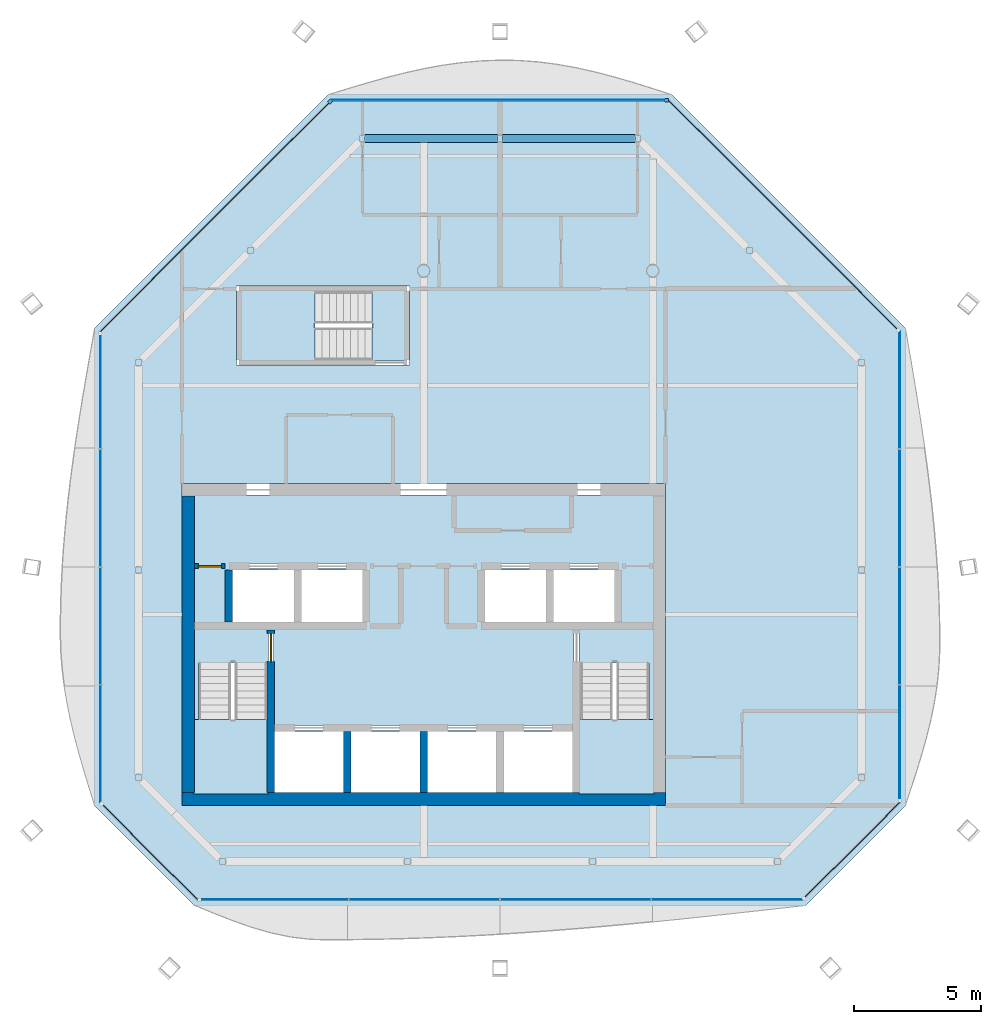
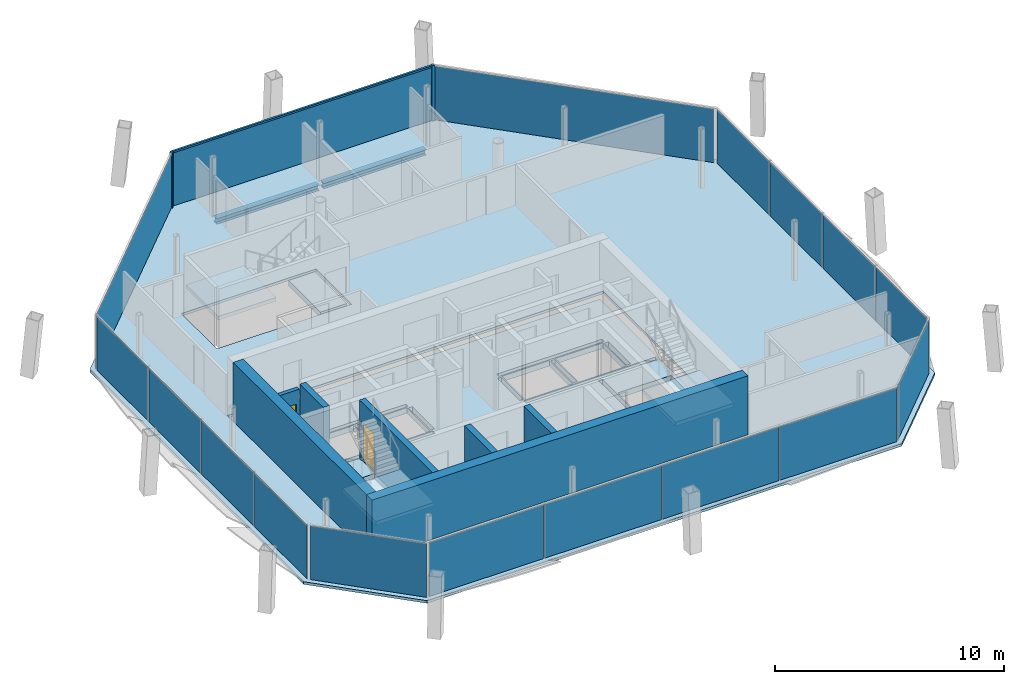
# One storey, part 8 of 13: 17 plates, 7 walls, 6 slabs, 3 members, 2 beams, 2 doors, 2 openings, 11 elements without a shape of their own.
"""IFC4 building model written with IfcOpenShell, lengths in metres."""

from ifc_helpers import new_model, si_unit, direction, frame, frame_2d, origin, origin_2d, place, context, subcontext, project, spatial, polyline, rectangle, i_section, outline, extrude, material, layer, layer_set, material_profile, profile_set, type_object, element, fill, aggregate, save


model = new_model("IFC4")

# Units and contexts
model_context = context("Model", 3, precision=1e-05, world=origin(), true_north=direction((0.0, 1.0)))
body_context = subcontext(model_context, "Body", "Model", "MODEL_VIEW")
ifc_project = project(units=[si_unit("LENGTHUNIT", "METRE"), si_unit("AREAUNIT", "SQUARE_METRE"), si_unit("VOLUMEUNIT", "CUBIC_METRE"), si_unit("PLANEANGLEUNIT", "RADIAN"), si_unit("MASSUNIT", "GRAM", prefix="KILO")], contexts=[model_context])

# Site, building, storey
site_placement = place(None, origin())
site = spatial("IfcSite", under=ifc_project, at=site_placement, CompositionType="ELEMENT")
building_placement = place(site_placement, origin())
building = spatial("IfcBuilding", under=site, at=building_placement, Name="Tskaro Facet Tower", CompositionType="ELEMENT")
storey_placement = place(building_placement, frame((0.0, 0.0, 284.699951171875)))
storey = spatial("IfcBuildingStorey", under=building, at=storey_placement, Name="L76", CompositionType="ELEMENT", Elevation=284.699951171875)

# Curtain wall, member
ifc_material_1 = material(Name="Bronze anodised aluminium 6063-T6", Category="aluminium")
curtain_wall_type = type_object("IfcCurtainWallType", Name="Bronze residence curtain wall (FW3)", PredefinedType="NOTDEFINED", material=ifc_material_1)
curtain_wall_1_placement = place(storey_placement, origin())
curtain_wall_1 = element("IfcCurtainWall", 1, at=curtain_wall_1_placement, inside=storey, type_object=curtain_wall_type, Name="FW3 north facet L76", PredefinedType="NOTDEFINED")
ifc_material_profile_1 = material_profile(ifc_material_1, rectangle(XDim=0.139892578125, YDim=0.139892578125, at=origin_2d()), Name="Corner post 140x140")
ifc_profile_set_1 = profile_set([ifc_material_profile_1], Name="Bronze anodised aluminium 6063-T6")
member_type_1 = type_object("IfcMemberType", Name="FW3 bronze corner post 140x140", PredefinedType="MULLION", material=ifc_profile_set_1)
member_1_placement = place(storey_placement, frame((9.555908203125, 15.697998046875, 0.0), z_axis=(0.0, 0.0, 1.0), x_axis=(-1.0, 0.0, 0.0)))
member_1 = element("IfcMember", 2, at=member_1_placement, type_object=member_type_1, Name="FW3 north corner post", PredefinedType="MULLION", context=body_context, shape_type="SweptSolid", body=[
    extrude(rectangle(XDim=0.139892578125, YDim=0.139892578125, at=origin_2d()), origin(), (0.0, 0.0, 1.0), 2.949951171875),
])

curtain_wall_2_placement = place(storey_placement, origin())
curtain_wall_2 = element("IfcCurtainWall", 3, at=curtain_wall_2_placement, inside=storey, type_object=curtain_wall_type, Name="FW3 north-west facet L76", PredefinedType="NOTDEFINED")
member_2_placement = place(storey_placement, frame((-3.675537109375, 15.6484375, 0.0), z_axis=(0.0, 0.0, 1.0), x_axis=(-0.707106781187, -0.707106781187, 0.0)))
member_2 = element("IfcMember", 4, at=member_2_placement, type_object=member_type_1, Name="FW3 north-west corner post", PredefinedType="MULLION", context=body_context, shape_type="SweptSolid", body=[
    extrude(rectangle(XDim=0.139892578125, YDim=0.139892578125, at=origin_2d()), origin(), (0.0, 0.0, 1.0), 2.949951171875),
])

# Member
ifc_material_profile_2 = material_profile(ifc_material_1, rectangle(XDim=0.10009765625, YDim=0.090087890625, at=origin_2d()), Name="Transom 100x90")
ifc_profile_set_2 = profile_set([ifc_material_profile_2], Name="Bronze anodised aluminium 6063-T6")
member_type_2 = type_object("IfcMemberType", Name="FW3 bronze transom 100x90", PredefinedType="USERDEFINED", material=ifc_profile_set_2)
member_3_placement = place(storey_placement, frame((9.486083984375, 15.697998046875, 2.905029296875), z_axis=(-1.0, 0.0, 0.0), x_axis=(0.0, -1.0, 0.0)))
member_3 = element("IfcMember", 5, at=member_3_placement, type_object=member_type_2, Name="FW3 north transom 1.1", ObjectType="TRANSOM", PredefinedType="USERDEFINED", context=body_context, shape_type="SweptSolid", body=[
    extrude(rectangle(XDim=0.10009765625, YDim=0.090087890625, at=origin_2d()), origin(), (0.0, 0.0, 1.0), 13.112060546875),
])

# Beams
ifc_material_2 = material(Name="Steel S355J2", Category="steel")
ifc_material_profile_3 = material_profile(ifc_material_2, i_section(OverallWidth=0.300048828125, OverallDepth=0.300048828125, WebThickness=0.010986328125, FlangeThickness=0.01904296875, FilletRadius=0.027099609375, at=origin_2d()), Name="HE 300 B")
ifc_profile_set_3 = profile_set([ifc_material_profile_3], Name="Steel S355J2")
beam_type = type_object("IfcBeamType", Name="HE 300 B ring beam", PredefinedType="BEAM", material=ifc_profile_set_3)
for number, where, z_axis, x_axis, name in (
    (6, (8.298095703125, 14.199951171875, -0.2900390625), (-1.0, 0.0, 0.0), (0.0, -1.0, 0.0), "HE 300 B EB9-6"),
    (7, (2.89501953125, 14.199951171875, -0.2900390625), (-1.0, 0.0, 0.0), (0.0, -1.0, 0.0), "HE 300 B EB10-6"),
):
    element("IfcBeam", number, at=place(storey_placement, frame(where, z_axis=z_axis, x_axis=x_axis)), inside=storey, type_object=beam_type, Name=name, PredefinedType="BEAM", context=body_context, shape_type="SweptSolid", body=[
        extrude(i_section(OverallWidth=0.300048828125, OverallDepth=0.300048828125, WebThickness=0.010986328125, FlangeThickness=0.01904296875, FilletRadius=0.027099609375, at=origin_2d()), origin(), (0.0, 0.0, 1.0), 5.193115234375),
    ])

# Slab
ifc_material_3 = material(Name="Concrete C30/37", Category="concrete")
ifc_layer_1 = layer(ifc_material_3, 0.139892578125, Name="Concrete C30/37")
ifc_layer_set_1 = layer_set([ifc_layer_1], Name="Concrete C30/37")
slab_type_1 = type_object("IfcSlabType", Name="Composite deck floor slab", PredefinedType="FLOOR", material=ifc_layer_set_1)
slab_1_placement = place(storey_placement, frame((0.0, 0.0, -0.139892578125)))
element("IfcSlab", 8, at=slab_1_placement, inside=storey, type_object=slab_type_1, Name="Floor slab FS3 L76", PredefinedType="FLOOR", context=body_context, shape_type="SweptSolid", body=[
    extrude(outline(polyline([(-8.990966796875, -15.947998046875), (14.990966796875, -15.947998046875), (18.947998046875, -11.990966796875), (18.947998046875, 6.72998046875), (9.72998046875, 15.947998046875), (-3.72998046875, 15.947998046875), (-12.947998046875, 6.72998046875), (-12.947998046875, -11.990966796875), (-8.990966796875, -15.947998046875)]), holes=[polyline([(-9.5, -12.0), (9.5, -12.0), (9.5, 0.64990234375), (-9.5, 0.64990234375), (-9.5, -12.0)]), polyline([(-7.35009765625, 5.300048828125), (-0.550048828125, 5.300048828125), (-0.550048828125, 8.39990234375), (-7.35009765625, 8.39990234375), (-7.35009765625, 5.300048828125)])]), origin(), (0.0, 0.0, 1.0), 0.139892578125),
])

# Curtain wall, plates
curtain_wall_3_placement = place(storey_placement, origin())
curtain_wall_3 = element("IfcCurtainWall", 9, at=curtain_wall_3_placement, inside=storey, type_object=curtain_wall_type, Name="FW3 south facet L76", PredefinedType="NOTDEFINED")
ifc_material_4 = material(Name="Bronze low-iron glass", Category="glass")
ifc_layer_2 = layer(ifc_material_4, 0.028076171875, Name="Bronze low-iron glass")
ifc_layer_set_2 = layer_set([ifc_layer_2], Name="Bronze low-iron glass")
plate_type = type_object("IfcPlateType", Name="FW3 bronze-tinted unit glazing 28", PredefinedType="CURTAIN_PANEL", material=ifc_layer_set_2)
plate_1_placement = place(storey_placement, frame((-5.857666015625, -15.697998046875, 0.0), z_axis=(0.0, 0.0, 1.0), x_axis=(1.0, 0.0, 0.0)))
plate_1 = element("IfcPlate", 10, at=plate_1_placement, type_object=plate_type, Name="FW3 south glazing 1.1", PredefinedType="CURTAIN_PANEL", context=body_context, shape_type="SweptSolid", body=[
    extrude(rectangle(XDim=5.778564453125, YDim=0.028076171875, at=origin_2d()), origin(), (0.0, 0.0, 1.0), 2.860107421875),
])
plate_2_placement = place(storey_placement, frame((0.0283203125, -15.697998046875, 0.0), z_axis=(0.0, 0.0, 1.0), x_axis=(1.0, 0.0, 0.0)))
plate_2 = element("IfcPlate", 11, at=plate_2_placement, type_object=plate_type, Name="FW3 south glazing 2.1", PredefinedType="CURTAIN_PANEL", context=body_context, shape_type="SweptSolid", body=[
    extrude(rectangle(XDim=5.8935546875, YDim=0.028076171875, at=origin_2d()), origin(), (0.0, 0.0, 1.0), 2.860107421875),
])
plate_3_placement = place(storey_placement, frame((5.9716796875, -15.697998046875, 0.0), z_axis=(0.0, 0.0, 1.0), x_axis=(1.0, 0.0, 0.0)))
plate_3 = element("IfcPlate", 12, at=plate_3_placement, type_object=plate_type, Name="FW3 south glazing 3.1", PredefinedType="CURTAIN_PANEL", context=body_context, shape_type="SweptSolid", body=[
    extrude(rectangle(XDim=5.8935546875, YDim=0.028076171875, at=origin_2d()), origin(), (0.0, 0.0, 1.0), 2.860107421875),
])
plate_4_placement = place(storey_placement, frame((11.927734375, -15.697998046875, 0.0), z_axis=(0.0, 0.0, 1.0), x_axis=(1.0, 0.0, 0.0)))
plate_4 = element("IfcPlate", 13, at=plate_4_placement, type_object=plate_type, Name="FW3 south glazing 4.1", PredefinedType="CURTAIN_PANEL", context=body_context, shape_type="SweptSolid", body=[
    extrude(rectangle(XDim=5.91845703125, YDim=0.028076171875, at=origin_2d()), origin(), (0.0, 0.0, 1.0), 2.860107421875),
])
aggregate(curtain_wall_3, [plate_1, plate_2, plate_3, plate_4])

# Curtain wall, plate
curtain_wall_4_placement = place(storey_placement, origin())
curtain_wall_4 = element("IfcCurtainWall", 14, at=curtain_wall_4_placement, inside=storey, type_object=curtain_wall_type, Name="FW3 south-east facet L76", PredefinedType="NOTDEFINED")
plate_5_placement = place(storey_placement, frame((16.842041015625, -13.742919921875, 0.0), z_axis=(0.0, 0.0, 1.0), x_axis=(0.707106781187, 0.707106781187, 0.0)))
plate_5 = element("IfcPlate", 15, at=plate_5_placement, type_object=plate_type, Name="FW3 south-east glazing 1.1", PredefinedType="CURTAIN_PANEL", context=body_context, shape_type="SweptSolid", body=[
    extrude(rectangle(XDim=5.24951171875, YDim=0.028076171875, at=origin_2d()), origin(), (0.0, 0.0, 1.0), 2.860107421875),
])
aggregate(curtain_wall_4, [plate_5])

# Curtain wall, plates
curtain_wall_5_placement = place(storey_placement, origin())
curtain_wall_5 = element("IfcCurtainWall", 16, at=curtain_wall_5_placement, inside=storey, type_object=curtain_wall_type, Name="FW3 east facet L76", PredefinedType="NOTDEFINED")
plate_6_placement = place(storey_placement, frame((18.697998046875, -9.515380859375, 0.0), z_axis=(0.0, 0.0, 1.0), x_axis=(0.0, 1.0, 0.0)))
plate_6 = element("IfcPlate", 17, at=plate_6_placement, type_object=plate_type, Name="FW3 east glazing 1.1", PredefinedType="CURTAIN_PANEL", context=body_context, shape_type="SweptSolid", body=[
    extrude(rectangle(XDim=4.463134765625, YDim=0.028076171875, at=origin_2d()), origin(), (0.0, 0.0, 1.0), 2.860107421875),
])
plate_7_placement = place(storey_placement, frame((18.697998046875, -4.944580078125, 0.0), z_axis=(0.0, 0.0, 1.0), x_axis=(0.0, 1.0, 0.0)))
plate_7 = element("IfcPlate", 18, at=plate_7_placement, type_object=plate_type, Name="FW3 east glazing 2.1", PredefinedType="CURTAIN_PANEL", context=body_context, shape_type="SweptSolid", body=[
    extrude(rectangle(XDim=4.578369140625, YDim=0.028076171875, at=origin_2d()), origin(), (0.0, 0.0, 1.0), 2.860107421875),
])
plate_8_placement = place(storey_placement, frame((18.697998046875, -0.31640625, 0.0), z_axis=(0.0, 0.0, 1.0), x_axis=(0.0, 1.0, 0.0)))
plate_8 = element("IfcPlate", 19, at=plate_8_placement, type_object=plate_type, Name="FW3 east glazing 3.1", PredefinedType="CURTAIN_PANEL", context=body_context, shape_type="SweptSolid", body=[
    extrude(rectangle(XDim=4.578369140625, YDim=0.028076171875, at=origin_2d()), origin(), (0.0, 0.0, 1.0), 2.860107421875),
])
plate_9_placement = place(storey_placement, frame((18.697998046875, 4.324462890625, 0.0), z_axis=(0.0, 0.0, 1.0), x_axis=(0.0, 1.0, 0.0)))
plate_9 = element("IfcPlate", 20, at=plate_9_placement, type_object=plate_type, Name="FW3 east glazing 4.1", PredefinedType="CURTAIN_PANEL", context=body_context, shape_type="SweptSolid", body=[
    extrude(rectangle(XDim=4.603271484375, YDim=0.028076171875, at=origin_2d()), origin(), (0.0, 0.0, 1.0), 2.860107421875),
])
aggregate(curtain_wall_5, [plate_6, plate_7, plate_8, plate_9])

# Curtain wall, plate
curtain_wall_6_placement = place(storey_placement, origin())
curtain_wall_6 = element("IfcCurtainWall", 21, at=curtain_wall_6_placement, inside=storey, type_object=curtain_wall_type, Name="FW3 north-east facet L76", PredefinedType="NOTDEFINED")
plate_10_placement = place(storey_placement, frame((14.112548828125, 11.21142578125, 0.0), z_axis=(0.0, 0.0, 1.0), x_axis=(-0.707106781187, 0.707106781187, 0.0)))
plate_10 = element("IfcPlate", 22, at=plate_10_placement, type_object=plate_type, Name="FW3 north-east glazing 1.1", PredefinedType="CURTAIN_PANEL", context=body_context, shape_type="SweptSolid", body=[
    extrude(rectangle(XDim=12.689697265625, YDim=0.028076171875, at=origin_2d()), origin(), (0.0, 0.0, 1.0), 2.860107421875),
])
aggregate(curtain_wall_6, [plate_10])

# Plate
plate_11_placement = place(storey_placement, frame((2.929931640625, 15.697998046875, 0.0), z_axis=(0.0, 0.0, 1.0), x_axis=(-1.0, 0.0, 0.0)))
plate_11 = element("IfcPlate", 23, at=plate_11_placement, type_object=plate_type, Name="FW3 north glazing 1.1", PredefinedType="CURTAIN_PANEL", context=body_context, shape_type="SweptSolid", body=[
    extrude(rectangle(XDim=13.112060546875, YDim=0.028076171875, at=origin_2d()), origin(), (0.0, 0.0, 1.0), 2.860107421875),
])

aggregate(curtain_wall_1, [member_1, member_3, plate_11])

plate_12_placement = place(storey_placement, frame((-8.21142578125, 11.112548828125, 0.0), z_axis=(0.0, 0.0, 1.0), x_axis=(-0.707106781187, -0.707106781187, 0.0)))
plate_12 = element("IfcPlate", 24, at=plate_12_placement, type_object=plate_type, Name="FW3 north-west glazing 1.1", PredefinedType="CURTAIN_PANEL", context=body_context, shape_type="SweptSolid", body=[
    extrude(rectangle(XDim=12.689697265625, YDim=0.028076171875, at=origin_2d()), origin(), (0.0, 0.0, 1.0), 2.860107421875),
])

aggregate(curtain_wall_2, [member_2, plate_12])

# Curtain wall, plates
curtain_wall_7_placement = place(storey_placement, origin())
curtain_wall_7 = element("IfcCurtainWall", 25, at=curtain_wall_7_placement, inside=storey, type_object=curtain_wall_type, Name="FW3 west facet L76", PredefinedType="NOTDEFINED")
plate_13_placement = place(storey_placement, frame((-12.697998046875, 4.25439453125, 0.0), z_axis=(0.0, 0.0, 1.0), x_axis=(0.0, -1.0, 0.0)))
plate_13 = element("IfcPlate", 26, at=plate_13_placement, type_object=plate_type, Name="FW3 west glazing 1.1", PredefinedType="CURTAIN_PANEL", context=body_context, shape_type="SweptSolid", body=[
    extrude(rectangle(XDim=4.463134765625, YDim=0.028076171875, at=origin_2d()), origin(), (0.0, 0.0, 1.0), 2.860107421875),
])
plate_14_placement = place(storey_placement, frame((-12.697998046875, -0.31640625, 0.0), z_axis=(0.0, 0.0, 1.0), x_axis=(0.0, -1.0, 0.0)))
plate_14 = element("IfcPlate", 27, at=plate_14_placement, type_object=plate_type, Name="FW3 west glazing 2.1", PredefinedType="CURTAIN_PANEL", context=body_context, shape_type="SweptSolid", body=[
    extrude(rectangle(XDim=4.578369140625, YDim=0.028076171875, at=origin_2d()), origin(), (0.0, 0.0, 1.0), 2.860107421875),
])
plate_15_placement = place(storey_placement, frame((-12.697998046875, -4.944580078125, 0.0), z_axis=(0.0, 0.0, 1.0), x_axis=(0.0, -1.0, 0.0)))
plate_15 = element("IfcPlate", 28, at=plate_15_placement, type_object=plate_type, Name="FW3 west glazing 3.1", PredefinedType="CURTAIN_PANEL", context=body_context, shape_type="SweptSolid", body=[
    extrude(rectangle(XDim=4.578369140625, YDim=0.028076171875, at=origin_2d()), origin(), (0.0, 0.0, 1.0), 2.860107421875),
])
plate_16_placement = place(storey_placement, frame((-12.697998046875, -9.58544921875, 0.0), z_axis=(0.0, 0.0, 1.0), x_axis=(0.0, -1.0, 0.0)))
plate_16 = element("IfcPlate", 29, at=plate_16_placement, type_object=plate_type, Name="FW3 west glazing 4.1", PredefinedType="CURTAIN_PANEL", context=body_context, shape_type="SweptSolid", body=[
    extrude(rectangle(XDim=4.603271484375, YDim=0.028076171875, at=origin_2d()), origin(), (0.0, 0.0, 1.0), 2.860107421875),
])
aggregate(curtain_wall_7, [plate_13, plate_14, plate_15, plate_16])

# Curtain wall, plate
curtain_wall_8_placement = place(storey_placement, origin())
curtain_wall_8 = element("IfcCurtainWall", 30, at=curtain_wall_8_placement, inside=storey, type_object=curtain_wall_type, Name="FW3 south-west facet L76", PredefinedType="NOTDEFINED")
plate_17_placement = place(storey_placement, frame((-10.742919921875, -13.842041015625, 0.0), z_axis=(0.0, 0.0, 1.0), x_axis=(0.707106781187, -0.707106781187, 0.0)))
plate_17 = element("IfcPlate", 31, at=plate_17_placement, type_object=plate_type, Name="FW3 south-west glazing 1.1", PredefinedType="CURTAIN_PANEL", context=body_context, shape_type="SweptSolid", body=[
    extrude(rectangle(XDim=5.24951171875, YDim=0.028076171875, at=origin_2d()), origin(), (0.0, 0.0, 1.0), 2.860107421875),
])
aggregate(curtain_wall_8, [plate_17])

# Stair, slab
ifc_material_5 = material(Name="Concrete C40/50", Category="concrete")
stair_type = type_object("IfcStairType", Name="ST-TWR", PredefinedType="HALF_TURN_STAIR", material=ifc_material_5)
stair_1_placement = place(storey_placement, origin())
stair_1 = element("IfcStair", 32, at=stair_1_placement, inside=storey, type_object=stair_type, Name="L76 Exit stair 1", PredefinedType="HALF_TURN_STAIR")
ifc_layer_3 = layer(ifc_material_5, 0.199951171875, Name="Concrete C40/50")
ifc_layer_set_3 = layer_set([ifc_layer_3], Name="Concrete C40/50")
slab_type_2 = type_object("IfcSlabType", Name="SL-LANDING", PredefinedType="LANDING", material=ifc_layer_set_3)
slab_2_placement = place(storey_placement, frame((0.0, 0.0, 1.375)))
slab_2 = element("IfcSlab", 33, at=slab_2_placement, type_object=slab_type_2, Name="ST-1 landing 1", PredefinedType="LANDING", context=body_context, shape_type="SweptSolid", body=[
    extrude(outline(polyline([(-9.050048828125, -11.550048828125), (-6.10009765625, -11.550048828125), (-6.10009765625, -8.614990234375), (-9.050048828125, -8.614990234375), (-9.050048828125, -11.550048828125)])), origin(), (0.0, 0.0, 1.0), 0.199951171875),
])
aggregate(stair_1, [slab_2])

stair_2_placement = place(storey_placement, origin())
stair_2 = element("IfcStair", 34, at=stair_2_placement, inside=storey, type_object=stair_type, Name="L76 Exit stair 2", PredefinedType="HALF_TURN_STAIR")
slab_3_placement = place(storey_placement, frame((0.0, 0.0, 1.375)))
slab_3 = element("IfcSlab", 35, at=slab_3_placement, type_object=slab_type_2, Name="ST-2 landing 1", PredefinedType="LANDING", context=body_context, shape_type="SweptSolid", body=[
    extrude(outline(polyline([(6.10009765625, -11.550048828125), (9.050048828125, -11.550048828125), (9.050048828125, -8.614990234375), (6.10009765625, -8.614990234375), (6.10009765625, -11.550048828125)])), origin(), (0.0, 0.0, 1.0), 0.199951171875),
])
aggregate(stair_2, [slab_3])

stair_3_placement = place(storey_placement, origin())
stair_3 = element("IfcStair", 36, at=stair_3_placement, inside=storey, type_object=stair_type, Name="L76 Exit stair 3", PredefinedType="HALF_TURN_STAIR")
slab_4_placement = place(storey_placement, frame((0.0, 0.0, 1.375)))
slab_4 = element("IfcSlab", 37, at=slab_4_placement, type_object=slab_type_2, Name="ST-3 landing 1", PredefinedType="LANDING", context=body_context, shape_type="SweptSolid", body=[
    extrude(outline(polyline([(-7.199951171875, 5.449951171875), (-4.264892578125, 5.449951171875), (-4.264892578125, 8.25), (-7.199951171875, 8.25), (-7.199951171875, 5.449951171875)])), origin(), (0.0, 0.0, 1.0), 0.199951171875),
])
aggregate(stair_3, [slab_4])

# Slabs
ifc_material_6 = material(Name="Concrete C60/75", Category="concrete")
ifc_layer_4 = layer(ifc_material_6, 0.300048828125, Name="Concrete C60/75")
ifc_layer_set_4 = layer_set([ifc_layer_4], Name="Concrete C60/75")
slab_type_3 = type_object("IfcSlabType", Name="SLAB-CORE", PredefinedType="FLOOR", material=ifc_layer_set_4)
slab_5_placement = place(storey_placement, frame((0.0, 0.0, -0.300048828125)))
element("IfcSlab", 38, at=slab_5_placement, inside=storey, type_object=slab_type_3, Name="Core floor slab 1", PredefinedType="FLOOR", context=body_context, shape_type="SweptSolid", body=[
    extrude(outline(polyline([(-9.050048828125, 0.199951171875), (9.050048828125, 0.199951171875), (9.050048828125, 0.10009765625), (9.050048828125, -11.449951171875), (9.050048828125, -11.550048828125), (-9.050048828125, -11.550048828125), (-9.050048828125, -11.449951171875), (-9.050048828125, 0.10009765625), (-9.050048828125, 0.199951171875)]), holes=[polyline([(-5.85009765625, -9.10009765625), (-5.85009765625, -11.5), (-3.14990234375, -11.5), (-3.14990234375, -9.10009765625), (-5.85009765625, -9.10009765625)]), polyline([(-3.10009765625, -11.449951171875), (-2.89990234375, -11.449951171875), (-2.89990234375, -9.14990234375), (-3.10009765625, -9.14990234375), (-3.10009765625, -11.449951171875)]), polyline([(-2.85009765625, -9.10009765625), (-2.85009765625, -11.5), (-0.14990234375, -11.5), (-0.14990234375, -9.10009765625), (-2.85009765625, -9.10009765625)]), polyline([(-6.10009765625, -11.449951171875), (-5.89990234375, -11.449951171875), (-5.89990234375, -5.14990234375), (-6.10009765625, -5.14990234375), (-6.10009765625, -11.449951171875)]), polyline([(-8.949951171875, -5.050048828125), (-2.300048828125, -5.050048828125), (-2.300048828125, -4.85009765625), (-8.949951171875, -4.85009765625), (-8.949951171875, -5.050048828125)]), polyline([(-7.75, -4.75), (-7.550048828125, -4.75), (-7.550048828125, -2.800048828125), (-7.75, -2.800048828125), (-7.75, -4.75)]), polyline([(-7.5, -4.800048828125), (-5.10009765625, -4.800048828125), (-5.10009765625, -2.75), (-7.5, -2.75), (-7.5, -4.800048828125)]), polyline([(-5.050048828125, -4.75), (-4.85009765625, -4.75), (-4.85009765625, -2.800048828125), (-5.050048828125, -2.800048828125), (-5.050048828125, -4.75)]), polyline([(-2.39990234375, -4.800048828125), (-2.39990234375, -2.75), (-4.800048828125, -2.75), (-4.800048828125, -4.800048828125), (-2.39990234375, -4.800048828125)]), polyline([(-2.35009765625, -4.75), (-2.14990234375, -4.75), (-2.14990234375, -2.800048828125), (-2.35009765625, -2.800048828125), (-2.35009765625, -4.75)]), polyline([(-7.60009765625, -2.699951171875), (-2.300048828125, -2.699951171875), (-2.300048828125, -2.5), (-7.60009765625, -2.5), (-7.60009765625, -2.699951171875)]), polyline([(-0.10009765625, -11.449951171875), (0.10009765625, -11.449951171875), (0.10009765625, -9.14990234375), (-0.10009765625, -9.14990234375), (-0.10009765625, -11.449951171875)]), polyline([(0.14990234375, -9.10009765625), (0.14990234375, -11.5), (2.85009765625, -11.5), (2.85009765625, -9.10009765625), (0.14990234375, -9.10009765625)]), polyline([(2.89990234375, -11.449951171875), (3.10009765625, -11.449951171875), (3.10009765625, -9.14990234375), (2.89990234375, -9.14990234375), (2.89990234375, -11.449951171875)]), polyline([(3.14990234375, -9.10009765625), (3.14990234375, -11.5), (5.85009765625, -11.5), (5.85009765625, -9.10009765625), (3.14990234375, -9.10009765625)]), polyline([(-5.800048828125, -9.050048828125), (5.800048828125, -9.050048828125), (5.800048828125, -8.85009765625), (-5.800048828125, -8.85009765625), (-5.800048828125, -9.050048828125)]), polyline([(5.89990234375, -11.449951171875), (6.10009765625, -11.449951171875), (6.10009765625, -5.14990234375), (5.89990234375, -5.14990234375), (5.89990234375, -11.449951171875)]), polyline([(2.300048828125, -5.050048828125), (8.949951171875, -5.050048828125), (8.949951171875, -4.85009765625), (2.300048828125, -4.85009765625), (2.300048828125, -5.050048828125)]), polyline([(2.14990234375, -4.75), (2.35009765625, -4.75), (2.35009765625, -2.800048828125), (2.14990234375, -2.800048828125), (2.14990234375, -4.75)]), polyline([(4.800048828125, -2.75), (2.39990234375, -2.75), (2.39990234375, -4.800048828125), (4.800048828125, -4.800048828125), (4.800048828125, -2.75)]), polyline([(4.85009765625, -4.75), (5.050048828125, -4.75), (5.050048828125, -2.800048828125), (4.85009765625, -2.800048828125), (4.85009765625, -4.75)]), polyline([(7.5, -2.75), (5.10009765625, -2.75), (5.10009765625, -4.800048828125), (7.5, -4.800048828125), (7.5, -2.75)]), polyline([(7.550048828125, -4.75), (7.75, -4.75), (7.75, -2.800048828125), (7.550048828125, -2.800048828125), (7.550048828125, -4.75)]), polyline([(2.300048828125, -2.699951171875), (7.60009765625, -2.699951171875), (7.60009765625, -2.5), (2.300048828125, -2.5), (2.300048828125, -2.699951171875)]), polyline([(-8.85009765625, -11.5), (-6.14990234375, -11.5), (-6.14990234375, -6.39501953125), (-8.85009765625, -6.39501953125), (-8.85009765625, -11.5)]), polyline([(6.14990234375, -6.39501953125), (6.14990234375, -11.5), (8.85009765625, -11.5), (8.85009765625, -6.39501953125), (6.14990234375, -6.39501953125)])]), origin(), (0.0, 0.0, 1.0), 0.300048828125),
])
slab_6_placement = place(storey_placement, frame((0.0, 0.0, -0.300048828125)))
element("IfcSlab", 39, at=slab_6_placement, inside=storey, type_object=slab_type_3, Name="Stair 3 floor landing 1", PredefinedType="FLOOR", context=body_context, shape_type="SweptSolid", body=[
    extrude(outline(polyline([(-2.02490234375, 5.449951171875), (-0.699951171875, 5.449951171875), (-0.699951171875, 8.25), (-2.02490234375, 8.25), (-2.02490234375, 5.449951171875)])), origin(), (0.0, 0.0, 1.0), 0.300048828125),
])

# Wall
ifc_layer_5 = layer(ifc_material_6, 0.300048828125, Name="Concrete C60/75")
ifc_layer_set_5 = layer_set([ifc_layer_5], Name="Concrete C60/75")
wall_type_1 = type_object("IfcWallType", Name="CORE-SHAFT", PredefinedType="SHEAR", material=ifc_layer_set_5)
wall_1_placement = place(storey_placement, frame((-7.64990234375, -4.800048828125, 0.0), z_axis=(0.0, 0.0, 1.0), x_axis=(0.0, 1.0, 0.0)))
element("IfcWall", 40, at=wall_1_placement, inside=storey, type_object=wall_type_1, Name="Shaft wall W023", PredefinedType="SHEAR", context=body_context, shape_type="SweptSolid", body=[
    extrude(rectangle(XDim=2.050048828125, YDim=0.300048828125, at=frame_2d((1.02490234375, 0.0))), origin(), (0.0, 0.0, 1.0), 3.150146484375),
])

# Wall, opening, door
wall_2_placement = place(storey_placement, frame((-6.0, -11.5, 0.0), z_axis=(0.0, 0.0, 1.0), x_axis=(0.0, 1.0, 0.0)))
wall_2 = element("IfcWall", 41, at=wall_2_placement, inside=storey, type_object=wall_type_1, Name="Shaft wall W025", PredefinedType="SHEAR", context=body_context, shape_type="SweptSolid", body=[
    extrude(rectangle(XDim=6.39990234375, YDim=0.300048828125, at=frame_2d((3.199951171875, 0.0))), origin(), (0.0, 0.0, 1.0), 3.150146484375),
])
opening_1_placement = place(wall_2_placement, frame((5.14990234375, 0.0, 0.0)))
opening_1 = element("IfcOpeningElement", 42, at=opening_1_placement, cuts=wall_2, Name="Opening ST-1-D1", PredefinedType="OPENING", context=body_context, shape_type="SweptSolid", body=[
    extrude(rectangle(XDim=1.10009765625, YDim=2.10009765625, at=frame_2d((0.550048828125, 1.050048828125))), frame((0.0, 0.159912109375, 0.0), z_axis=(0.0, -1.0, 0.0), x_axis=(1.0, 0.0, 0.0)), (0.0, 0.0, 1.0), 0.320068359375),
])
ifc_material_7 = material(Name="Steel", Category="steel")
door_type_1 = type_object("IfcDoorType", Name="D-STAIR", OperationType="NOTDEFINED", PredefinedType="DOOR", material=ifc_material_7)
door_1_placement = place(opening_1_placement, origin())
door_1 = element("IfcDoor", 43, at=door_1_placement, inside=storey, type_object=door_type_1, Name="Stair door 1", OperationType="SINGLE_SWING_LEFT", OverallHeight=2.10009765625, OverallWidth=1.10009765625, PredefinedType="DOOR", context=body_context, shape_type="SweptSolid", body=[
    extrude(rectangle(XDim=1.10009765625, YDim=2.10009765625, at=frame_2d((0.550048828125, 1.050048828125))), frame((0.0, 0.02490234375, 0.0), z_axis=(0.0, -1.0, 0.0), x_axis=(1.0, 0.0, 0.0)), (0.0, 0.0, 1.0), 0.050048828125),
])
fill(opening_1, door_1)

# Walls
for number, where, z_axis, x_axis, name in (
    (44, (-3.0, -11.5, 0.0), (0.0, 0.0, 1.0), (0.0, 1.0, 0.0), "Shaft wall W028"),
    (45, (0.0, -11.5, 0.0), (0.0, 0.0, 1.0), (0.0, 1.0, 0.0), "Shaft wall W035"),
):
    element("IfcWall", number, at=place(storey_placement, frame(where, z_axis=z_axis, x_axis=x_axis)), inside=storey, type_object=wall_type_1, Name=name, PredefinedType="SHEAR", context=body_context, shape_type="SweptSolid", body=[
        extrude(rectangle(XDim=2.39990234375, YDim=0.300048828125, at=frame_2d((1.199951171875, 0.0))), origin(), (0.0, 0.0, 1.0), 3.150146484375),
    ])

# Wall, opening, door
ifc_material_8 = material(Name="Concrete C20/25", Category="concrete")
ifc_layer_6 = layer(ifc_material_8, 0.199951171875, Name="Concrete C20/25")
ifc_layer_set_6 = layer_set([ifc_layer_6], Name="Concrete C20/25")
wall_type_2 = type_object("IfcWallType", Name="CORE-WALL", PredefinedType="SOLIDWALL", material=ifc_layer_set_6)
wall_3_placement = place(storey_placement, frame((-7.800048828125, -2.60009765625, 0.0), z_axis=(0.0, 0.0, 1.0), x_axis=(-1.0, 0.0, 0.0)))
wall_3 = element("IfcWall", 46, at=wall_3_placement, inside=storey, type_object=wall_type_2, Name="Core room wall W009", PredefinedType="SOLIDWALL", context=body_context, shape_type="SweptSolid", body=[
    extrude(rectangle(XDim=1.199951171875, YDim=0.199951171875, at=frame_2d((0.60009765625, 0.0))), origin(), (0.0, 0.0, 1.0), 2.85009765625),
])
opening_2_placement = place(wall_3_placement, frame((0.14990234375, 0.0, 0.0)))
opening_2 = element("IfcOpeningElement", 47, at=opening_2_placement, cuts=wall_3, Name="Opening T22-D03", PredefinedType="OPENING", context=body_context, shape_type="SweptSolid", body=[
    extrude(rectangle(XDim=0.89990234375, YDim=2.10009765625, at=frame_2d((0.449951171875, 1.050048828125))), frame((0.0, 0.10986328125, 0.0), z_axis=(0.0, -1.0, 0.0), x_axis=(1.0, 0.0, 0.0)), (0.0, 0.0, 1.0), 0.219970703125),
])
ifc_material_9 = material(Name="Timber", Category="wood")
door_type_2 = type_object("IfcDoorType", Name="D-ROOM", OperationType="NOTDEFINED", PredefinedType="DOOR", material=ifc_material_9)
door_2_placement = place(opening_2_placement, origin())
door_2 = element("IfcDoor", 48, at=door_2_placement, inside=storey, type_object=door_type_2, Name="Door T22-D03", OperationType="SINGLE_SWING_RIGHT", OverallHeight=2.10009765625, OverallWidth=0.89990234375, PredefinedType="DOOR", context=body_context, shape_type="SweptSolid", body=[
    extrude(rectangle(XDim=0.89990234375, YDim=2.10009765625, at=frame_2d((0.449951171875, 1.050048828125))), frame((0.0, 0.02490234375, 0.0), z_axis=(0.0, -1.0, 0.0), x_axis=(1.0, 0.0, 0.0)), (0.0, 0.0, 1.0), 0.050048828125),
])
fill(opening_2, door_2)

# Walls
ifc_layer_7 = layer(ifc_material_5, 0.5, Name="Concrete C40/50")
ifc_layer_set_7 = layer_set([ifc_layer_7], Name="Concrete C40/50")
wall_type_3 = type_object("IfcWallType", Name="Core wall 500", PredefinedType="SHEAR", material=ifc_layer_set_7)
wall_4_placement = place(storey_placement, frame((-9.5, -11.75, 0.0), z_axis=(0.0, 0.0, 1.0), x_axis=(1.0, 0.0, 0.0)))
element("IfcWall", 49, at=wall_4_placement, inside=storey, type_object=wall_type_3, Name="Core wall CW-Z3S", PredefinedType="SHEAR", context=body_context, shape_type="SweptSolid", body=[
    extrude(rectangle(XDim=19.0, YDim=0.5, at=frame_2d((9.5, 0.0))), origin(), (0.0, 0.0, 1.0), 3.150146484375),
])
wall_5_placement = place(storey_placement, frame((-9.25, -11.5, 0.0), z_axis=(0.0, 0.0, 1.0), x_axis=(0.0, 1.0, 0.0)))
element("IfcWall", 50, at=wall_5_placement, inside=storey, type_object=wall_type_3, Name="Core wall CW-Z3W", PredefinedType="SHEAR", context=body_context, shape_type="SweptSolid", body=[
    extrude(rectangle(XDim=11.64990234375, YDim=0.5, at=frame_2d((5.824951171875, 0.0))), origin(), (0.0, 0.0, 1.0), 3.150146484375),
])

save(model, "model.ifc")
